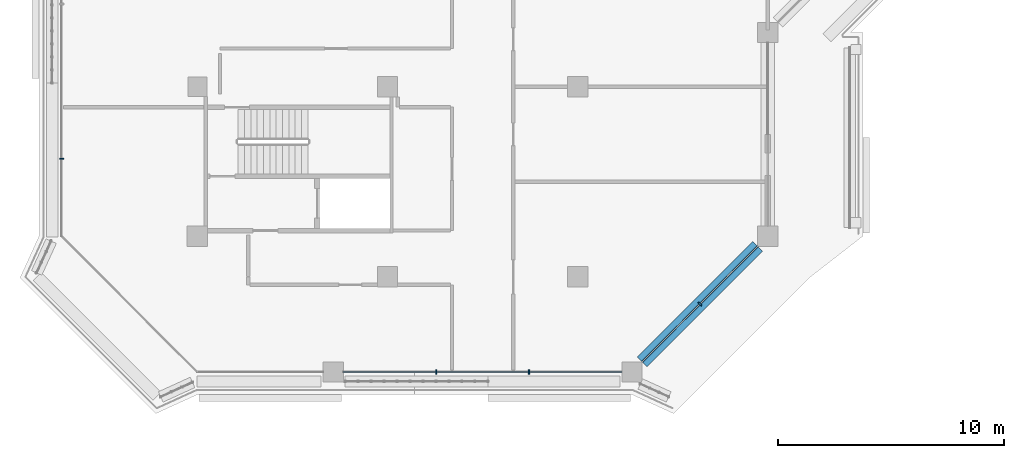
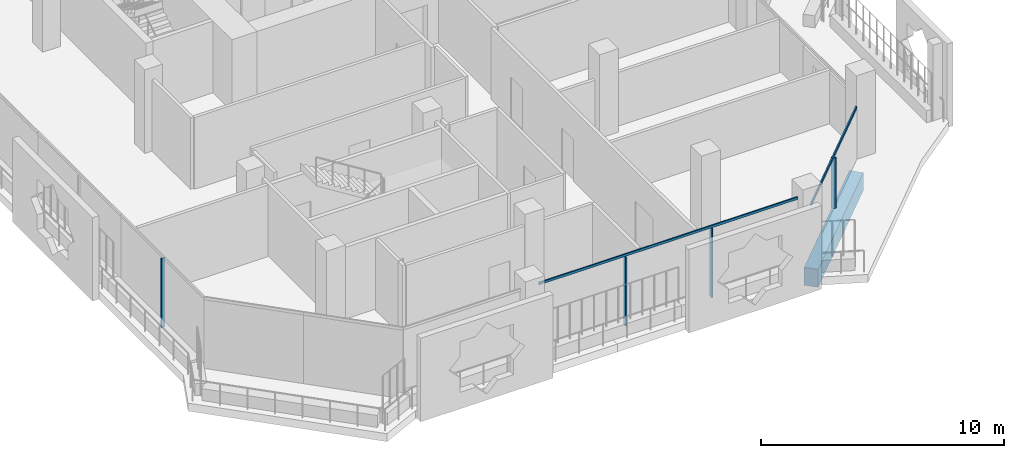
# One storey, part 2 of 22: 6 members, 1 beam, 3 elements without a shape of their own.
"""IFC4 building model written with IfcOpenShell, lengths in metres."""

from ifc_helpers import new_model, si_unit, direction, frame, origin, origin_2d, place, context, subcontext, project, spatial, rectangle, extrude, material, layer, layer_set, material_profile, profile_set, type_object, element, aggregate, save


model = new_model("IFC4")

# Units and contexts
model_context = context("Model", 3, precision=1e-05, world=origin(), true_north=direction((0.0, 1.0)))
body_context = subcontext(model_context, "Body", "Model", "MODEL_VIEW")
ifc_project = project(units=[si_unit("LENGTHUNIT", "METRE"), si_unit("AREAUNIT", "SQUARE_METRE"), si_unit("VOLUMEUNIT", "CUBIC_METRE"), si_unit("PLANEANGLEUNIT", "RADIAN"), si_unit("MASSUNIT", "GRAM", prefix="KILO")], contexts=[model_context])

# Site, building, storey
site_placement = place(None, origin())
site = spatial("IfcSite", under=ifc_project, at=site_placement, CompositionType="ELEMENT")
building_placement = place(site_placement, origin())
building = spatial("IfcBuilding", under=site, at=building_placement, Name="Kawkab Arch Medical Tower", CompositionType="ELEMENT")
storey_placement = place(building_placement, frame((0.0, 0.0, 251.60009765625)))
storey = spatial("IfcBuildingStorey", under=building, at=storey_placement, Name="L58", CompositionType="ELEMENT", Elevation=251.60009765625)

# Curtain wall, member
ifc_material_1 = material(Name="Bronze anodised aluminium curtain wall frame", Category="aluminium")
ifc_layer_1 = layer(ifc_material_1, 0.159912109375)
ifc_layer_set_1 = layer_set([ifc_layer_1], Name="Bronze anodised aluminium curtain wall frame")
curtain_wall_type_1 = type_object("IfcCurtainWallType", Name="CW1 ward curtain wall", PredefinedType="NOTDEFINED", material=ifc_layer_set_1)
placement = place(storey_placement, origin())
curtain_wall_1 = element("IfcCurtainWall", 1, at=placement, inside=storey, type_object=curtain_wall_type_1, Name="CW1 Ward curtain wall R01", PredefinedType="NOTDEFINED")
ifc_material_2 = material(Name="Bronze anodised aluminium curtain wall frame", Category="aluminium")
ifc_material_profile_1 = material_profile(ifc_material_2, rectangle(XDim=0.179931640625, YDim=0.06005859375, at=origin_2d()), Name="AL 60x180")
ifc_profile_set_1 = profile_set([ifc_material_profile_1], Name="Bronze anodised aluminium curtain wall frame")
member_type_1 = type_object("IfcMemberType", Name="CW1 mullion 60 x 180", PredefinedType="MULLION", material=ifc_profile_set_1)
member_1_placement = place(storey_placement, frame((-6.0, -36.780029296875, 0.0), z_axis=(0.0, 0.0, 1.0), x_axis=(1.0, 0.0, 0.0)))
member_1 = element("IfcMember", 2, at=member_1_placement, type_object=member_type_1, Name="CW1 mullion 5.1", PredefinedType="MULLION", context=body_context, shape_type="SweptSolid", body=[
    extrude(rectangle(XDim=0.179931640625, YDim=0.06005859375, at=origin_2d()), origin(), (0.0, 0.0, 1.0), 3.47998046875),
])
aggregate(curtain_wall_1, [member_1])

# Curtain wall, members
curtain_wall_2 = element("IfcCurtainWall", 3, at=placement, inside=storey, type_object=curtain_wall_type_1, Name="CW1 Ward curtain wall R03", PredefinedType="NOTDEFINED")
member_2_placement = place(storey_placement, frame((10.550048828125, -46.199951171875, 0.0), z_axis=(0.0, 0.0, 1.0), x_axis=(0.0, 1.0, 0.0)))
member_2 = element("IfcMember", 4, at=member_2_placement, type_object=member_type_1, Name="CW1 mullion 2.1", PredefinedType="MULLION", context=body_context, shape_type="SweptSolid", body=[
    extrude(rectangle(XDim=0.179931640625, YDim=0.06005859375, at=origin_2d()), origin(), (0.0, 0.0, 1.0), 3.47998046875),
])
member_3_placement = place(storey_placement, frame((14.64990234375, -46.199951171875, 0.0), z_axis=(0.0, 0.0, 1.0), x_axis=(0.0, 1.0, 0.0)))
member_3 = element("IfcMember", 5, at=member_3_placement, type_object=member_type_1, Name="CW1 mullion 2.2", PredefinedType="MULLION", context=body_context, shape_type="SweptSolid", body=[
    extrude(rectangle(XDim=0.179931640625, YDim=0.06005859375, at=origin_2d()), origin(), (0.0, 0.0, 1.0), 3.47998046875),
])
ifc_material_3 = material(Name="Bronze anodised aluminium curtain wall frame", Category="aluminium")
ifc_material_profile_2 = material_profile(ifc_material_3, rectangle(XDim=0.06005859375, YDim=0.1201171875, at=origin_2d()), Name="AL 60x120")
ifc_profile_set_2 = profile_set([ifc_material_profile_2], Name="Bronze anodised aluminium curtain wall frame")
member_type_2 = type_object("IfcMemberType", Name="CW1 transom 120 x 60", PredefinedType="USERDEFINED", material=ifc_profile_set_2)
member_4_placement = place(storey_placement, frame((6.449951171875, -46.199951171875, 3.539794921875), z_axis=(1.0, 0.0, 0.0), x_axis=(0.0, 1.0, 0.0)))
member_4 = element("IfcMember", 6, at=member_4_placement, type_object=member_type_2, Name="CW1 transom 2", ObjectType="TRANSOM", PredefinedType="USERDEFINED", context=body_context, shape_type="SweptSolid", body=[
    extrude(rectangle(XDim=0.06005859375, YDim=0.1201171875, at=origin_2d()), origin(), (0.0, 0.0, 1.0), 12.300048828125),
])
aggregate(curtain_wall_2, [member_4, member_2, member_3])

ifc_material_4 = material(Name="Bronze anodised aluminium curtain wall frame", Category="aluminium")
ifc_layer_2 = layer(ifc_material_4, 0.159912109375)
ifc_layer_set_2 = layer_set([ifc_layer_2], Name="Bronze anodised aluminium curtain wall frame")
curtain_wall_type_2 = type_object("IfcCurtainWallType", Name="CW2 chamfer curtain wall", PredefinedType="NOTDEFINED", material=ifc_layer_set_2)
curtain_wall_3 = element("IfcCurtainWall", 7, at=placement, inside=storey, type_object=curtain_wall_type_2, Name="CW2 Chamfer curtain wall R04", PredefinedType="NOTDEFINED")
ifc_material_5 = material(Name="Bronze anodised aluminium curtain wall frame", Category="aluminium")
ifc_material_profile_3 = material_profile(ifc_material_5, rectangle(XDim=0.199951171875, YDim=0.06005859375, at=origin_2d()), Name="AL 60x200")
ifc_profile_set_3 = profile_set([ifc_material_profile_3], Name="Bronze anodised aluminium curtain wall frame")
member_type_3 = type_object("IfcMemberType", Name="CW2 mullion 60 x 200", PredefinedType="MULLION", material=ifc_profile_set_3)
member_5_placement = place(storey_placement, frame((22.199951171875, -43.199951171875, 0.0), z_axis=(0.0, 0.0, 1.0), x_axis=(-0.707106781187, 0.707106781187, 0.0)))
member_5 = element("IfcMember", 8, at=member_5_placement, type_object=member_type_3, Name="CW2 mullion 1.1", PredefinedType="MULLION", context=body_context, shape_type="SweptSolid", body=[
    extrude(rectangle(XDim=0.199951171875, YDim=0.06005859375, at=origin_2d()), origin(), (0.0, 0.0, 1.0), 2.559814453125),
])
ifc_material_6 = material(Name="Bronze anodised aluminium curtain wall frame", Category="aluminium")
ifc_material_profile_4 = material_profile(ifc_material_6, rectangle(XDim=0.06005859375, YDim=0.139892578125, at=origin_2d()), Name="AL 60x140")
ifc_profile_set_4 = profile_set([ifc_material_profile_4], Name="Bronze anodised aluminium curtain wall frame")
member_type_4 = type_object("IfcMemberType", Name="CW2 transom 140 x 60", PredefinedType="USERDEFINED", material=ifc_profile_set_4)
member_6_placement = place(storey_placement, frame((19.64990234375, -45.75, 2.6298828125), z_axis=(0.707106781187, 0.707106781187, 0.0), x_axis=(-0.707106781187, 0.707106781187, 0.0)))
member_6 = element("IfcMember", 9, at=member_6_placement, type_object=member_type_4, Name="CW2 transom 1", ObjectType="TRANSOM", PredefinedType="USERDEFINED", context=body_context, shape_type="SweptSolid", body=[
    extrude(rectangle(XDim=0.06005859375, YDim=0.139892578125, at=origin_2d()), origin(), (0.0, 0.0, 1.0), 7.212646484375),
])
aggregate(curtain_wall_3, [member_6, member_5])

# Beam
ifc_material_7 = material(Name="Concrete C45/55", Category="concrete")
ifc_material_profile_5 = material_profile(ifc_material_7, rectangle(XDim=0.60009765625, YDim=0.89990234375, at=origin_2d()), Name="RC 600x900")
ifc_profile_set_5 = profile_set([ifc_material_profile_5], Name="Concrete C45/55")
beam_type = type_object("IfcBeamType", Name="RC 600x900 beam C45/55", PredefinedType="BEAM", material=ifc_profile_set_5)
beam_placement = place(storey_placement, frame((24.75, -40.64990234375, -1.050048828125), z_axis=(-0.707106781187, -0.707106781187, 0.0), x_axis=(0.707106781187, -0.707106781187, 0.0)))
element("IfcBeam", 10, at=beam_placement, inside=storey, type_object=beam_type, Name="Overhang edge beam L58-06", PredefinedType="BEAM", context=body_context, shape_type="SweptSolid", body=[
    extrude(rectangle(XDim=0.60009765625, YDim=0.89990234375, at=origin_2d()), origin(), (0.0, 0.0, 1.0), 7.212646484375),
])

save(model, "model.ifc")
